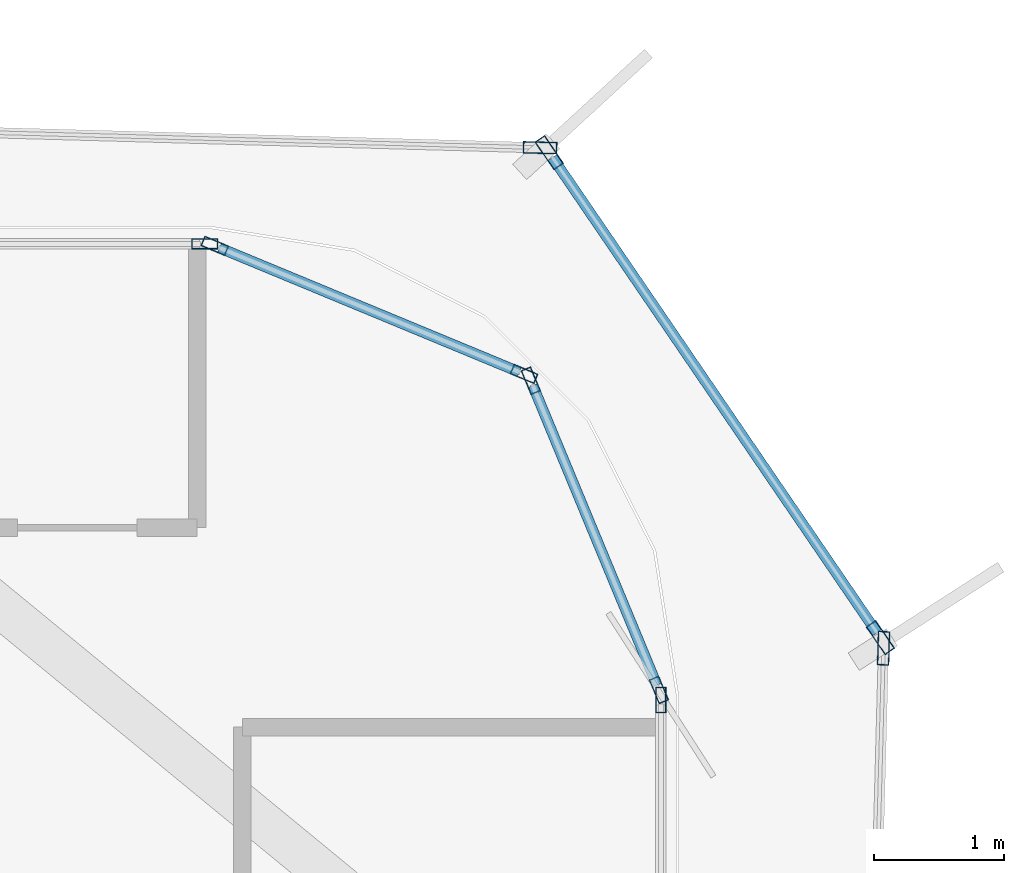
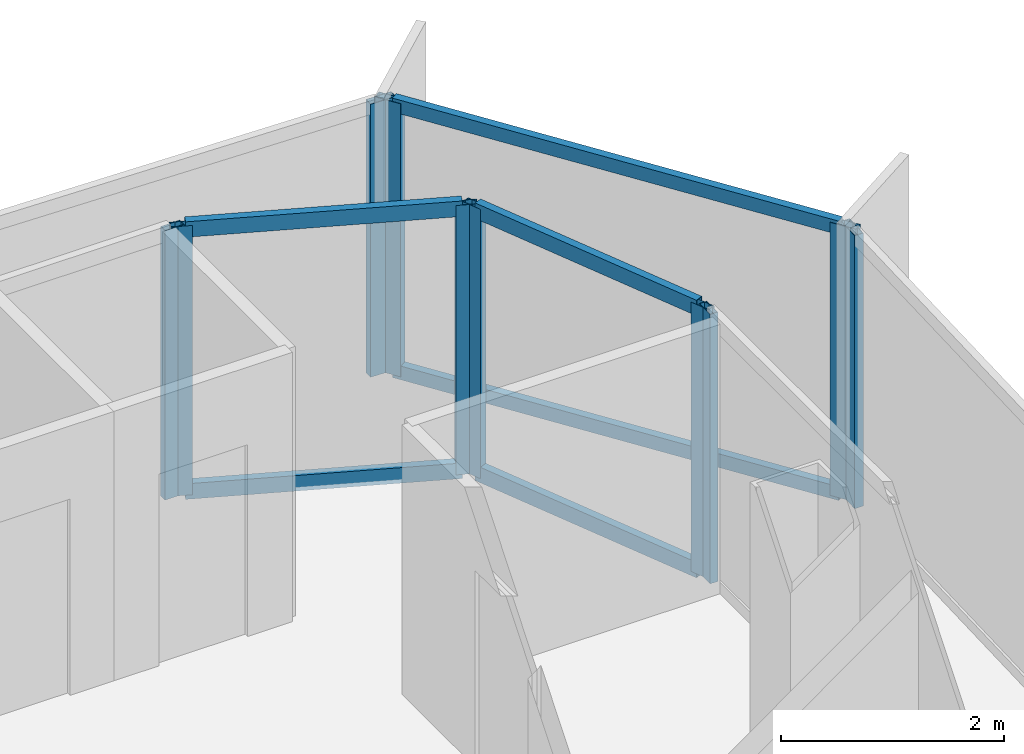
# One storey, part 8 of 16: 16 members, 7 elements without a shape of their own.
"""IFC4 building model written with IfcOpenShell, lengths in metres."""

from ifc_helpers import new_model, si_unit, direction, frame, origin, origin_2d, place, context, subcontext, project, spatial, hollow_rectangle, extrude, source, transform, mapped, material, layer, layer_set, material_profile, profile_set, type_object, element, aggregate, save


model = new_model("IFC4")

# Units and contexts
model_context = context("Model", 3, precision=1e-05, world=origin(), true_north=direction((0.0, 1.0)))
body_context = subcontext(model_context, "Body", "Model", "MODEL_VIEW")
ifc_project = project(units=[si_unit("LENGTHUNIT", "METRE"), si_unit("AREAUNIT", "SQUARE_METRE"), si_unit("VOLUMEUNIT", "CUBIC_METRE"), si_unit("PLANEANGLEUNIT", "RADIAN"), si_unit("MASSUNIT", "GRAM", prefix="KILO")], contexts=[model_context])

# Site, building, storey
site_placement = place(None, origin())
site = spatial("IfcSite", under=ifc_project, at=site_placement, CompositionType="ELEMENT")
building_placement = place(site_placement, origin())
building = spatial("IfcBuilding", under=site, at=building_placement, Name="Kolveth Station Tower", CompositionType="ELEMENT")
storey_placement = place(building_placement, frame((0.0, 0.0, 175.300048828125)))
storey = spatial("IfcBuildingStorey", under=building, at=storey_placement, Name="L49", CompositionType="ELEMENT", Elevation=175.300048828125)

# Curtain wall, member
ifc_material_1 = material(Name="Aluminium 6063-T6 and low-E dark glass", Category="aluminium")
ifc_layer_1 = layer(ifc_material_1, 0.18994140625)
ifc_layer_set_1 = layer_set([ifc_layer_1], Name="Aluminium 6063-T6 and low-E dark glass")
curtain_wall_type_1 = type_object("IfcCurtainWallType", Name="CurtainWall_CW-Z2", PredefinedType="NOTDEFINED", material=ifc_layer_set_1)
curtain_wall_1_placement = place(storey_placement, origin())
curtain_wall_1 = element("IfcCurtainWall", 1, at=curtain_wall_1_placement, inside=storey, type_object=curtain_wall_type_1, Name="L49 Inner Thermal Curtain Wall 3", PredefinedType="NOTDEFINED")
ifc_material_2 = material(Name="Black anodized aluminium 6063-T6", Category="aluminium")
ifc_material_profile_1 = material_profile(ifc_material_2, hollow_rectangle(XDim=0.080078125, YDim=0.199951171875, WallThickness=0.0048828125, at=origin_2d()), Name="ALU-80x200x5")
ifc_profile_set_1 = profile_set([ifc_material_profile_1], Name="Black anodized aluminium 6063-T6")
member_type_1 = type_object("IfcMemberType", Name="Mullion_ML2", PredefinedType="MULLION", material=ifc_profile_set_1)
shared_shape_1 = source(origin(), body_context, "Body", "SweptSolid", [
    extrude(hollow_rectangle(XDim=0.080078125, YDim=0.199951171875, WallThickness=0.0048828125, at=origin_2d()), origin(), (0.0, 0.0, 1.0), 2.949951171875),
])
member_1_placement = place(storey_placement, frame((41.679931640625, 31.659912109375, 0.0), z_axis=(0.0, 0.0, 1.0), x_axis=(-1.0, 0.0, 0.0)))
member_1 = element("IfcMember", 2, at=member_1_placement, type_object=member_type_1, Name="CW-Z2 mullion 2", PredefinedType="MULLION", context=body_context, shape_type="MappedRepresentation", body=[
    mapped(shared_shape_1, transform((0.0, 0.0, 0.0), x_axis=(1.0, 0.0, 0.0), y_axis=(0.0, 1.0, 0.0), z_axis=(0.0, 0.0, 1.0), scale=1.0)),
])
aggregate(curtain_wall_1, [member_1])

# Curtain wall, members
curtain_wall_2_placement = place(storey_placement, origin())
curtain_wall_2 = element("IfcCurtainWall", 3, at=curtain_wall_2_placement, inside=storey, type_object=curtain_wall_type_1, Name="L49 Inner Thermal Curtain Wall 4", PredefinedType="NOTDEFINED")
member_2_placement = place(storey_placement, frame((41.664794921875, 31.737060546875, 0.0), z_axis=(0.0, 0.0, 1.0), x_axis=(-0.923873600544, -0.382697753087, 0.0)))
member_2 = element("IfcMember", 4, at=member_2_placement, type_object=member_type_1, Name="CW-Z2 mullion 1", PredefinedType="MULLION", context=body_context, shape_type="MappedRepresentation", body=[
    mapped(shared_shape_1, transform((0.0, 0.0, 0.0), x_axis=(1.0, 0.0, 0.0), y_axis=(0.0, 1.0, 0.0), z_axis=(0.0, 0.0, 1.0), scale=1.0)),
])
member_3_placement = place(storey_placement, frame((40.676025390625, 34.123779296875, 0.0), z_axis=(0.0, 0.0, 1.0), x_axis=(-0.923873600544, -0.382697753087, 0.0)))
member_3 = element("IfcMember", 5, at=member_3_placement, type_object=member_type_1, Name="CW-Z2 mullion 2", PredefinedType="MULLION", context=body_context, shape_type="MappedRepresentation", body=[
    mapped(shared_shape_1, transform((0.0, 0.0, 0.0), x_axis=(1.0, 0.0, 0.0), y_axis=(0.0, 1.0, 0.0), z_axis=(0.0, 0.0, 1.0), scale=1.0)),
])

curtain_wall_3_placement = place(storey_placement, origin())
curtain_wall_3 = element("IfcCurtainWall", 6, at=curtain_wall_3_placement, inside=storey, type_object=curtain_wall_type_1, Name="L49 Inner Thermal Curtain Wall 5", PredefinedType="NOTDEFINED")
member_4_placement = place(storey_placement, frame((40.623779296875, 34.176025390625, 0.0), z_axis=(0.0, 0.0, 1.0), x_axis=(-0.382697753087, -0.923873600544, 0.0)))
member_4 = element("IfcMember", 7, at=member_4_placement, type_object=member_type_1, Name="CW-Z2 mullion 1", PredefinedType="MULLION", context=body_context, shape_type="MappedRepresentation", body=[
    mapped(shared_shape_1, transform((0.0, 0.0, 0.0), x_axis=(1.0, 0.0, 0.0), y_axis=(0.0, 1.0, 0.0), z_axis=(0.0, 0.0, 1.0), scale=1.0)),
])
member_5_placement = place(storey_placement, frame((38.237060546875, 35.164794921875, 0.0), z_axis=(0.0, 0.0, 1.0), x_axis=(-0.382697753087, -0.923873600544, 0.0)))
member_5 = element("IfcMember", 8, at=member_5_placement, type_object=member_type_1, Name="CW-Z2 mullion 2", PredefinedType="MULLION", context=body_context, shape_type="MappedRepresentation", body=[
    mapped(shared_shape_1, transform((0.0, 0.0, 0.0), x_axis=(1.0, 0.0, 0.0), y_axis=(0.0, 1.0, 0.0), z_axis=(0.0, 0.0, 1.0), scale=1.0)),
])

# Curtain wall, member
curtain_wall_4_placement = place(storey_placement, origin())
curtain_wall_4 = element("IfcCurtainWall", 9, at=curtain_wall_4_placement, inside=storey, type_object=curtain_wall_type_1, Name="L49 Inner Thermal Curtain Wall 6", PredefinedType="NOTDEFINED")
member_6_placement = place(storey_placement, frame((38.159912109375, 35.179931640625, 0.0), z_axis=(0.0, 0.0, 1.0), x_axis=(0.0, -1.0, 0.0)))
member_6 = element("IfcMember", 10, at=member_6_placement, type_object=member_type_1, Name="CW-Z2 mullion 1", PredefinedType="MULLION", context=body_context, shape_type="MappedRepresentation", body=[
    mapped(shared_shape_1, transform((0.0, 0.0, 0.0), x_axis=(1.0, 0.0, 0.0), y_axis=(0.0, 1.0, 0.0), z_axis=(0.0, 0.0, 1.0), scale=1.0)),
])
aggregate(curtain_wall_4, [member_6])

ifc_material_3 = material(Name="Black anodized aluminium 6063-T6 and dark solar glass", Category="aluminium")
ifc_layer_2 = layer(ifc_material_3, 0.159912109375)
ifc_layer_set_2 = layer_set([ifc_layer_2], Name="Black anodized aluminium 6063-T6 and dark solar glass")
curtain_wall_type_2 = type_object("IfcCurtainWallType", Name="OUTER SKIN CW-OS", PredefinedType="NOTDEFINED", material=ifc_layer_set_2)
curtain_wall_5_placement = place(storey_placement, origin())
curtain_wall_5 = element("IfcCurtainWall", 11, at=curtain_wall_5_placement, inside=storey, type_object=curtain_wall_type_2, Name="L49 Outer Ventilated Skin Curtain Wall 2", PredefinedType="NOTDEFINED")
ifc_material_profile_2 = material_profile(ifc_material_2, hollow_rectangle(XDim=0.090087890625, YDim=0.260009765625, WallThickness=0.0048828125, at=origin_2d()), Name="ALU-90x260x5")
ifc_profile_set_2 = profile_set([ifc_material_profile_2], Name="Black anodized aluminium 6063-T6")
member_type_2 = type_object("IfcMemberType", Name="FIN MULLION ML-OS", PredefinedType="MULLION", material=ifc_profile_set_2)
shared_shape_2 = source(origin(), body_context, "Body", "SweptSolid", [
    extrude(hollow_rectangle(XDim=0.090087890625, YDim=0.260009765625, WallThickness=0.0048828125, at=origin_2d()), origin(), (0.0, 0.0, 1.0), 2.989990234375),
])
member_7_placement = place(storey_placement, frame((43.3984375, 32.05908203125, 0.0), z_axis=(0.0, 0.0, 1.0), x_axis=(-0.999645684005, 0.026617784478, 0.0)))
member_7 = element("IfcMember", 12, at=member_7_placement, type_object=member_type_2, Name="CW-OS mullion 2", PredefinedType="MULLION", context=body_context, shape_type="MappedRepresentation", body=[
    mapped(shared_shape_2, transform((0.0, 0.0, 0.0), x_axis=(1.0, 0.0, 0.0), y_axis=(0.0, 1.0, 0.0), z_axis=(0.0, 0.0, 1.0), scale=1.0)),
])
aggregate(curtain_wall_5, [member_7])

# Curtain wall, members
curtain_wall_6_placement = place(storey_placement, origin())
curtain_wall_6 = element("IfcCurtainWall", 13, at=curtain_wall_6_placement, inside=storey, type_object=curtain_wall_type_2, Name="L49 Outer Ventilated Skin Curtain Wall 3", PredefinedType="NOTDEFINED")
member_8_placement = place(storey_placement, frame((43.374267578125, 32.14111328125, 0.0), z_axis=(0.0, 0.0, 1.0), x_axis=(-0.825797787284, -0.563966323921, 0.0)))
member_8 = element("IfcMember", 14, at=member_8_placement, type_object=member_type_2, Name="CW-OS mullion 1", PredefinedType="MULLION", context=body_context, shape_type="MappedRepresentation", body=[
    mapped(shared_shape_2, transform((0.0, 0.0, 0.0), x_axis=(1.0, 0.0, 0.0), y_axis=(0.0, 1.0, 0.0), z_axis=(0.0, 0.0, 1.0), scale=1.0)),
])
member_9_placement = place(storey_placement, frame((40.818115234375, 35.884033203125, 0.0), z_axis=(0.0, 0.0, 1.0), x_axis=(-0.825797787284, -0.563966323921, 0.0)))
member_9 = element("IfcMember", 15, at=member_9_placement, type_object=member_type_2, Name="CW-OS mullion 2", PredefinedType="MULLION", context=body_context, shape_type="MappedRepresentation", body=[
    mapped(shared_shape_2, transform((0.0, 0.0, 0.0), x_axis=(1.0, 0.0, 0.0), y_axis=(0.0, 1.0, 0.0), z_axis=(0.0, 0.0, 1.0), scale=1.0)),
])

# Curtain wall, member
curtain_wall_7_placement = place(storey_placement, origin())
curtain_wall_7 = element("IfcCurtainWall", 16, at=curtain_wall_7_placement, inside=storey, type_object=curtain_wall_type_2, Name="L49 Outer Ventilated Skin Curtain Wall 4", PredefinedType="NOTDEFINED")
member_10_placement = place(storey_placement, frame((40.747802734375, 35.92236328125, 0.0), z_axis=(0.0, 0.0, 1.0), x_axis=(-0.027550756321, -0.999620405867, 0.0)))
member_10 = element("IfcMember", 17, at=member_10_placement, type_object=member_type_2, Name="CW-OS mullion 1", PredefinedType="MULLION", context=body_context, shape_type="MappedRepresentation", body=[
    mapped(shared_shape_2, transform((0.0, 0.0, 0.0), x_axis=(1.0, 0.0, 0.0), y_axis=(0.0, 1.0, 0.0), z_axis=(0.0, 0.0, 1.0), scale=1.0)),
])
aggregate(curtain_wall_7, [member_10])

# Member
ifc_material_profile_3 = material_profile(ifc_material_2, hollow_rectangle(XDim=0.080078125, YDim=0.169921875, WallThickness=0.0048828125, at=origin_2d()), Name="ALU-80x170x5")
ifc_profile_set_3 = profile_set([ifc_material_profile_3], Name="Black anodized aluminium 6063-T6")
member_type_3 = type_object("IfcMemberType", Name="Transom_TR2", PredefinedType="USERDEFINED", material=ifc_profile_set_3)
shared_shape_3 = source(origin(), body_context, "Body", "SweptSolid", [
    extrude(hollow_rectangle(XDim=0.080078125, YDim=0.169921875, WallThickness=0.0048828125, at=origin_2d()), origin(), (0.0, 0.0, 1.0), 2.50341796875),
])
member_11_placement = place(storey_placement, frame((41.6494140625, 31.77392578125, 0.0400390625), z_axis=(-0.382696328882, 0.923874190494, 0.0), x_axis=(-0.923874190494, -0.382696328882, 0.0)))
member_11 = element("IfcMember", 18, at=member_11_placement, type_object=member_type_3, Name="CW-Z2 transom 1.1", ObjectType="TRANSOM", PredefinedType="USERDEFINED", context=body_context, shape_type="MappedRepresentation", body=[
    mapped(shared_shape_3, transform((0.0, 0.0, 0.0), x_axis=(1.0, 0.0, 0.0), y_axis=(0.0, 1.0, 0.0), z_axis=(0.0, 0.0, 1.0), scale=1.0)),
])

member_12_placement = place(storey_placement, frame((41.6494140625, 31.77392578125, 2.909912109375), z_axis=(-0.382696328882, 0.923874190494, 0.0), x_axis=(-0.923874190494, -0.382696328882, 0.0)))
member_12 = element("IfcMember", 19, at=member_12_placement, type_object=member_type_3, Name="CW-Z2 transom 1.2", ObjectType="TRANSOM", PredefinedType="USERDEFINED", context=body_context, shape_type="MappedRepresentation", body=[
    mapped(shared_shape_3, transform((0.0, 0.0, 0.0), x_axis=(1.0, 0.0, 0.0), y_axis=(0.0, 1.0, 0.0), z_axis=(0.0, 0.0, 1.0), scale=1.0)),
])

aggregate(curtain_wall_2, [member_2, member_3, member_11, member_12])

member_13_placement = place(storey_placement, frame((40.586669921875, 34.19140625, 0.0400390625), z_axis=(-0.923874190494, 0.382696328882, 0.0), x_axis=(-0.382696328882, -0.923874190494, 0.0)))
member_13 = element("IfcMember", 20, at=member_13_placement, type_object=member_type_3, Name="CW-Z2 transom 1.1", ObjectType="TRANSOM", PredefinedType="USERDEFINED", context=body_context, shape_type="MappedRepresentation", body=[
    mapped(shared_shape_3, transform((0.0, 0.0, 0.0), x_axis=(1.0, 0.0, 0.0), y_axis=(0.0, 1.0, 0.0), z_axis=(0.0, 0.0, 1.0), scale=1.0)),
])

member_14_placement = place(storey_placement, frame((40.586669921875, 34.19140625, 2.909912109375), z_axis=(-0.923874190494, 0.382696328882, 0.0), x_axis=(-0.382696328882, -0.923874190494, 0.0)))
member_14 = element("IfcMember", 21, at=member_14_placement, type_object=member_type_3, Name="CW-Z2 transom 1.2", ObjectType="TRANSOM", PredefinedType="USERDEFINED", context=body_context, shape_type="MappedRepresentation", body=[
    mapped(shared_shape_3, transform((0.0, 0.0, 0.0), x_axis=(1.0, 0.0, 0.0), y_axis=(0.0, 1.0, 0.0), z_axis=(0.0, 0.0, 1.0), scale=1.0)),
])

aggregate(curtain_wall_3, [member_4, member_5, member_13, member_14])

ifc_material_profile_4 = material_profile(ifc_material_2, hollow_rectangle(XDim=0.080078125, YDim=0.14990234375, WallThickness=0.0048828125, at=origin_2d()), Name="ALU-80x150x5")
ifc_profile_set_4 = profile_set([ifc_material_profile_4], Name="Black anodized aluminium 6063-T6")
member_type_4 = type_object("IfcMemberType", Name="Transom_TR-OS", PredefinedType="USERDEFINED", material=ifc_profile_set_4)
shared_shape_4 = source(origin(), body_context, "Body", "SweptSolid", [
    extrude(hollow_rectangle(XDim=0.080078125, YDim=0.14990234375, WallThickness=0.0048828125, at=origin_2d()), origin(), (0.0, 0.0, 1.0), 4.442626953125),
])
member_15_placement = place(storey_placement, frame((43.348876953125, 32.17822265625, 0.0400390625), z_axis=(-0.563948849252, 0.825809721078, 0.0), x_axis=(-0.825809721078, -0.563948849252, 0.0)))
member_15 = element("IfcMember", 22, at=member_15_placement, type_object=member_type_4, Name="CW-OS transom 1.1", ObjectType="TRANSOM", PredefinedType="USERDEFINED", context=body_context, shape_type="MappedRepresentation", body=[
    mapped(shared_shape_4, transform((0.0, 0.0, 0.0), x_axis=(1.0, 0.0, 0.0), y_axis=(0.0, 1.0, 0.0), z_axis=(0.0, 0.0, 1.0), scale=1.0)),
])

member_16_placement = place(storey_placement, frame((43.348876953125, 32.17822265625, 2.949951171875), z_axis=(-0.563948849252, 0.825809721078, 0.0), x_axis=(-0.825809721078, -0.563948849252, 0.0)))
member_16 = element("IfcMember", 23, at=member_16_placement, type_object=member_type_4, Name="CW-OS transom 1.2", ObjectType="TRANSOM", PredefinedType="USERDEFINED", context=body_context, shape_type="MappedRepresentation", body=[
    mapped(shared_shape_4, transform((0.0, 0.0, 0.0), x_axis=(1.0, 0.0, 0.0), y_axis=(0.0, 1.0, 0.0), z_axis=(0.0, 0.0, 1.0), scale=1.0)),
])

aggregate(curtain_wall_6, [member_8, member_9, member_15, member_16])

save(model, "model.ifc")
